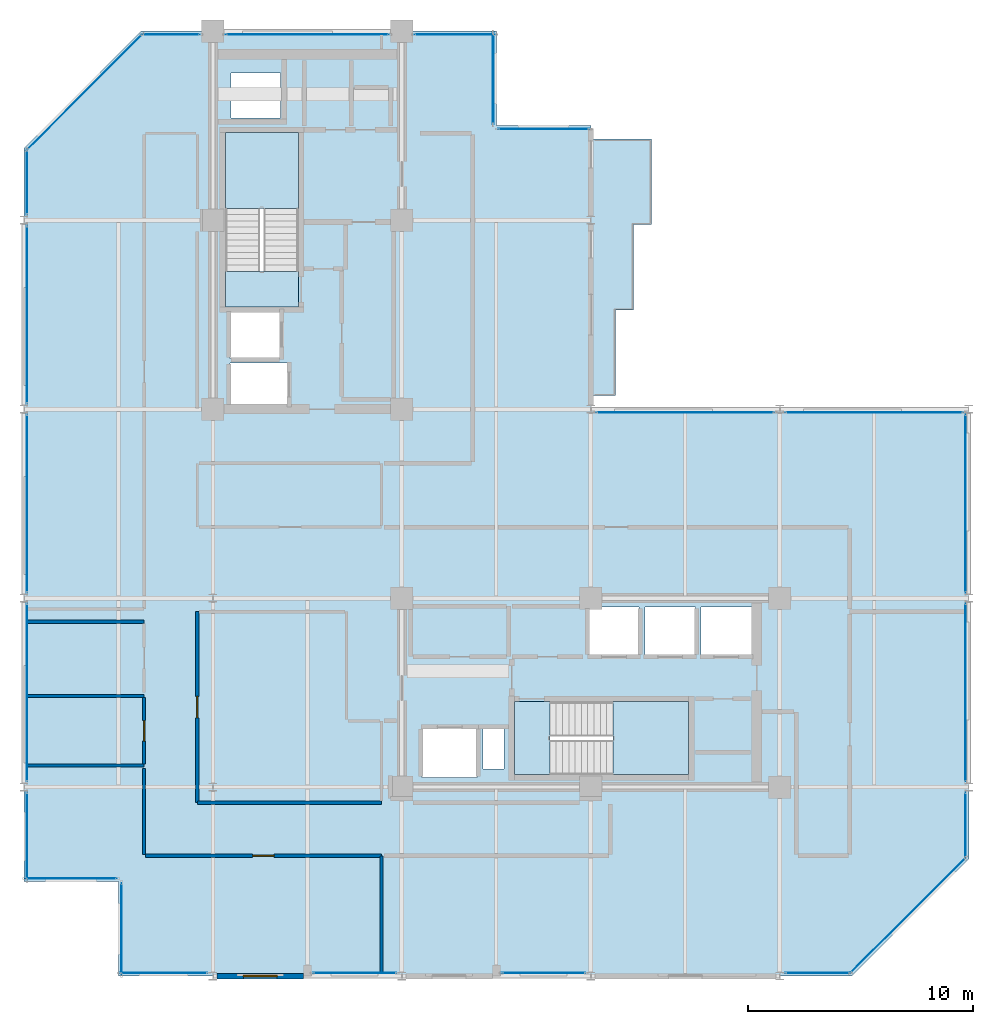
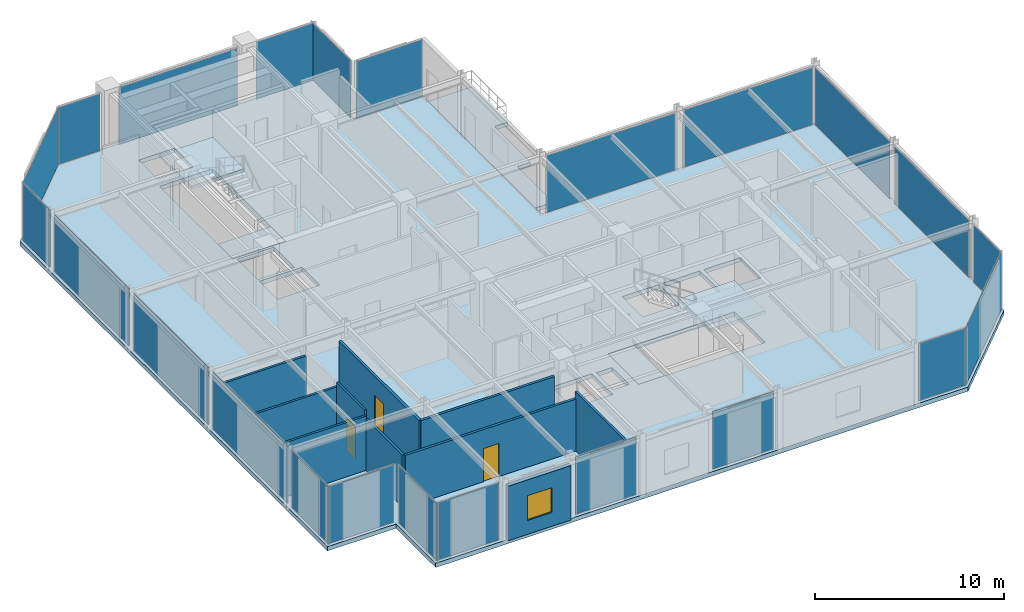
# One storey, part 19 of 25: 23 plates, 10 walls, 6 slabs, 3 doors, 1 window, 4 openings, 25 elements without a shape of their own.
"""IFC4 building model written with IfcOpenShell, lengths in metres."""

from ifc_helpers import new_model, si_unit, direction, frame, frame_2d, origin, origin_2d, place, context, subcontext, project, spatial, polyline, rectangle, outline, extrude, material, layer, layer_set, type_object, element, fill, aggregate, save


model = new_model("IFC4")

# Units and contexts
model_context = context("Model", 3, precision=1e-05, world=origin(), true_north=direction((0.0, 1.0)))
body_context = subcontext(model_context, "Body", "Model", "MODEL_VIEW")
ifc_project = project(units=[si_unit("LENGTHUNIT", "METRE"), si_unit("AREAUNIT", "SQUARE_METRE"), si_unit("VOLUMEUNIT", "CUBIC_METRE"), si_unit("PLANEANGLEUNIT", "RADIAN"), si_unit("MASSUNIT", "GRAM", prefix="KILO")], contexts=[model_context])

# Site, building, storey
site_placement = place(None, origin())
site = spatial("IfcSite", under=ifc_project, at=site_placement, CompositionType="ELEMENT")
building_placement = place(site_placement, origin())
building = spatial("IfcBuilding", under=site, at=building_placement, Name="Nerrivon Quay Data Exchange", CompositionType="ELEMENT")
storey_placement = place(building_placement, frame((0.0, 0.0, 232.89990234375)))
storey = spatial("IfcBuildingStorey", under=building, at=storey_placement, Name="L55", CompositionType="ELEMENT", Elevation=232.89990234375)

# Curtain wall, plate
ifc_material_1 = material(Name="Anodised aluminium 6063-T6", Category="aluminium")
ifc_layer_1 = layer(ifc_material_1, 0.195068359375)
ifc_layer_set_1 = layer_set([ifc_layer_1], Name="Anodised aluminium 6063-T6")
curtain_wall_type = type_object("IfcCurtainWallType", Name="CW-SYS-06", PredefinedType="NOTDEFINED", material=ifc_layer_set_1)
curtain_wall_1_placement = place(storey_placement, origin())
curtain_wall_1 = element("IfcCurtainWall", 1, at=curtain_wall_1_placement, inside=storey, type_object=curtain_wall_type, Name="L55 Unitised Curtain Wall 1", PredefinedType="NOTDEFINED")
ifc_material_2 = material(Name="Double-glazed low-E solar control glass", Category="glass")
ifc_layer_2 = layer(ifc_material_2, 0.028076171875)
ifc_layer_set_2 = layer_set([ifc_layer_2], Name="Double-glazed low-E solar control glass")
plate_type = type_object("IfcPlateType", Name="CWP-GLZ-28", PredefinedType="CURTAIN_PANEL", material=ifc_layer_set_2)
plate_1_placement = place(storey_placement, frame((39.301025390625, 2.698974609375, 0.06494140625), z_axis=(0.0, 0.0, 1.0), x_axis=(-0.707106781187, -0.707106781187, 0.0)))
plate_1 = element("IfcPlate", 2, at=plate_1_placement, type_object=plate_type, Name="CW06 panel 1.1", PredefinedType="CURTAIN_PANEL", context=body_context, shape_type="SweptSolid", body=[
    extrude(rectangle(XDim=7.203857421875, YDim=0.028076171875, at=origin_2d()), origin(), (0.0, 0.0, 1.0), 3.695068359375),
])
aggregate(curtain_wall_1, [plate_1])

curtain_wall_2_placement = place(storey_placement, origin())
curtain_wall_2 = element("IfcCurtainWall", 3, at=curtain_wall_2_placement, inside=storey, type_object=curtain_wall_type, Name="L55 Unitised Curtain Wall 2", PredefinedType="NOTDEFINED")
plate_2_placement = place(storey_placement, frame((35.28759765625, 0.139892578125, 0.06494140625), z_axis=(0.0, 0.0, 1.0), x_axis=(-1.0, 0.0, 0.0)))
plate_2 = element("IfcPlate", 4, at=plate_2_placement, type_object=plate_type, Name="CW06 panel 1.1", PredefinedType="CURTAIN_PANEL", context=body_context, shape_type="SweptSolid", body=[
    extrude(rectangle(XDim=2.875, YDim=0.028076171875, at=origin_2d()), origin(), (0.0, 0.0, 1.0), 3.695068359375),
])
aggregate(curtain_wall_2, [plate_2])

curtain_wall_3_placement = place(storey_placement, origin())
curtain_wall_3 = element("IfcCurtainWall", 5, at=curtain_wall_3_placement, inside=storey, type_object=curtain_wall_type, Name="L55 Unitised Curtain Wall 4", PredefinedType="NOTDEFINED")
plate_3_placement = place(storey_placement, frame((23.10009765625, 0.139892578125, 0.06494140625), z_axis=(0.0, 0.0, 1.0), x_axis=(-1.0, 0.0, 0.0)))
plate_3 = element("IfcPlate", 6, at=plate_3_placement, type_object=plate_type, Name="CW06 panel 1.1", PredefinedType="CURTAIN_PANEL", context=body_context, shape_type="SweptSolid", body=[
    extrude(rectangle(XDim=3.699951171875, YDim=0.028076171875, at=origin_2d()), origin(), (0.0, 0.0, 1.0), 3.695068359375),
])
aggregate(curtain_wall_3, [plate_3])

curtain_wall_4_placement = place(storey_placement, origin())
curtain_wall_4 = element("IfcCurtainWall", 7, at=curtain_wall_4_placement, inside=storey, type_object=curtain_wall_type, Name="L55 Unitised Curtain Wall 6", PredefinedType="NOTDEFINED")
plate_4_placement = place(storey_placement, frame((14.699951171875, 0.139892578125, 0.06494140625), z_axis=(0.0, 0.0, 1.0), x_axis=(-1.0, 0.0, 0.0)))
plate_4 = element("IfcPlate", 8, at=plate_4_placement, type_object=plate_type, Name="CW06 panel 1.1", PredefinedType="CURTAIN_PANEL", context=body_context, shape_type="SweptSolid", body=[
    extrude(rectangle(XDim=3.699951171875, YDim=0.028076171875, at=origin_2d()), origin(), (0.0, 0.0, 1.0), 3.695068359375),
])
aggregate(curtain_wall_4, [plate_4])

curtain_wall_5_placement = place(storey_placement, origin())
curtain_wall_5 = element("IfcCurtainWall", 9, at=curtain_wall_5_placement, inside=storey, type_object=curtain_wall_type, Name="L55 Unitised Curtain Wall 8", PredefinedType="NOTDEFINED")
plate_5_placement = place(storey_placement, frame((6.21240234375, 0.139892578125, 0.06494140625), z_axis=(0.0, 0.0, 1.0), x_axis=(-1.0, 0.0, 0.0)))
plate_5 = element("IfcPlate", 10, at=plate_5_placement, type_object=plate_type, Name="CW06 panel 1.1", PredefinedType="CURTAIN_PANEL", context=body_context, shape_type="SweptSolid", body=[
    extrude(rectangle(XDim=3.875, YDim=0.028076171875, at=origin_2d()), origin(), (0.0, 0.0, 1.0), 3.695068359375),
])
aggregate(curtain_wall_5, [plate_5])

curtain_wall_6_placement = place(storey_placement, origin())
curtain_wall_6 = element("IfcCurtainWall", 11, at=curtain_wall_6_placement, inside=storey, type_object=curtain_wall_type, Name="L55 Unitised Curtain Wall 9", PredefinedType="NOTDEFINED")
plate_6_placement = place(storey_placement, frame((4.340087890625, 2.10009765625, 0.06494140625), z_axis=(0.0, 0.0, 1.0), x_axis=(0.0, 1.0, 0.0)))
plate_6 = element("IfcPlate", 12, at=plate_6_placement, type_object=plate_type, Name="CW06 panel 1.1", PredefinedType="CURTAIN_PANEL", context=body_context, shape_type="SweptSolid", body=[
    extrude(rectangle(XDim=4.050048828125, YDim=0.028076171875, at=origin_2d()), origin(), (0.0, 0.0, 1.0), 3.695068359375),
])
aggregate(curtain_wall_6, [plate_6])

curtain_wall_7_placement = place(storey_placement, origin())
curtain_wall_7 = element("IfcCurtainWall", 13, at=curtain_wall_7_placement, inside=storey, type_object=curtain_wall_type, Name="L55 Unitised Curtain Wall 10", PredefinedType="NOTDEFINED")
plate_7_placement = place(storey_placement, frame((2.10009765625, 4.340087890625, 0.06494140625), z_axis=(0.0, 0.0, 1.0), x_axis=(-1.0, 0.0, 0.0)))
plate_7 = element("IfcPlate", 14, at=plate_7_placement, type_object=plate_type, Name="CW06 panel 1.1", PredefinedType="CURTAIN_PANEL", context=body_context, shape_type="SweptSolid", body=[
    extrude(rectangle(XDim=4.050048828125, YDim=0.028076171875, at=origin_2d()), origin(), (0.0, 0.0, 1.0), 3.695068359375),
])
aggregate(curtain_wall_7, [plate_7])

curtain_wall_8_placement = place(storey_placement, origin())
curtain_wall_8 = element("IfcCurtainWall", 15, at=curtain_wall_8_placement, inside=storey, type_object=curtain_wall_type, Name="L55 Unitised Curtain Wall 11", PredefinedType="NOTDEFINED")
plate_8_placement = place(storey_placement, frame((0.139892578125, 6.21240234375, 0.06494140625), z_axis=(0.0, 0.0, 1.0), x_axis=(0.0, 1.0, 0.0)))
plate_8 = element("IfcPlate", 16, at=plate_8_placement, type_object=plate_type, Name="CW06 panel 1.1", PredefinedType="CURTAIN_PANEL", context=body_context, shape_type="SweptSolid", body=[
    extrude(rectangle(XDim=3.875, YDim=0.028076171875, at=origin_2d()), origin(), (0.0, 0.0, 1.0), 3.695068359375),
])
aggregate(curtain_wall_8, [plate_8])

curtain_wall_9_placement = place(storey_placement, origin())
curtain_wall_9 = element("IfcCurtainWall", 17, at=curtain_wall_9_placement, inside=storey, type_object=curtain_wall_type, Name="L55 Unitised Curtain Wall 12", PredefinedType="NOTDEFINED")
plate_9_placement = place(storey_placement, frame((0.139892578125, 12.60009765625, 0.06494140625), z_axis=(0.0, 0.0, 1.0), x_axis=(0.0, 1.0, 0.0)))
plate_9 = element("IfcPlate", 18, at=plate_9_placement, type_object=plate_type, Name="CW06 panel 1.1", PredefinedType="CURTAIN_PANEL", context=body_context, shape_type="SweptSolid", body=[
    extrude(rectangle(XDim=7.89990234375, YDim=0.028076171875, at=origin_2d()), origin(), (0.0, 0.0, 1.0), 3.695068359375),
])
aggregate(curtain_wall_9, [plate_9])

curtain_wall_10_placement = place(storey_placement, origin())
curtain_wall_10 = element("IfcCurtainWall", 19, at=curtain_wall_10_placement, inside=storey, type_object=curtain_wall_type, Name="L55 Unitised Curtain Wall 13", PredefinedType="NOTDEFINED")
plate_10_placement = place(storey_placement, frame((0.139892578125, 21.0, 0.06494140625), z_axis=(0.0, 0.0, 1.0), x_axis=(0.0, 1.0, 0.0)))
plate_10 = element("IfcPlate", 20, at=plate_10_placement, type_object=plate_type, Name="CW06 panel 1.1", PredefinedType="CURTAIN_PANEL", context=body_context, shape_type="SweptSolid", body=[
    extrude(rectangle(XDim=7.89990234375, YDim=0.028076171875, at=origin_2d()), origin(), (0.0, 0.0, 1.0), 3.695068359375),
])
aggregate(curtain_wall_10, [plate_10])

curtain_wall_11_placement = place(storey_placement, origin())
curtain_wall_11 = element("IfcCurtainWall", 21, at=curtain_wall_11_placement, inside=storey, type_object=curtain_wall_type, Name="L55 Unitised Curtain Wall 14", PredefinedType="NOTDEFINED")
plate_11_placement = place(storey_placement, frame((0.139892578125, 29.39990234375, 0.06494140625), z_axis=(0.0, 0.0, 1.0), x_axis=(0.0, 1.0, 0.0)))
plate_11 = element("IfcPlate", 22, at=plate_11_placement, type_object=plate_type, Name="CW06 panel 1.1", PredefinedType="CURTAIN_PANEL", context=body_context, shape_type="SweptSolid", body=[
    extrude(rectangle(XDim=7.89990234375, YDim=0.028076171875, at=origin_2d()), origin(), (0.0, 0.0, 1.0), 3.695068359375),
])
aggregate(curtain_wall_11, [plate_11])

curtain_wall_12_placement = place(storey_placement, origin())
curtain_wall_12 = element("IfcCurtainWall", 23, at=curtain_wall_12_placement, inside=storey, type_object=curtain_wall_type, Name="L55 Unitised Curtain Wall 15", PredefinedType="NOTDEFINED")
plate_12_placement = place(storey_placement, frame((0.139892578125, 35.28759765625, 0.06494140625), z_axis=(0.0, 0.0, 1.0), x_axis=(0.0, 1.0, 0.0)))
plate_12 = element("IfcPlate", 24, at=plate_12_placement, type_object=plate_type, Name="CW06 panel 1.1", PredefinedType="CURTAIN_PANEL", context=body_context, shape_type="SweptSolid", body=[
    extrude(rectangle(XDim=2.875, YDim=0.028076171875, at=origin_2d()), origin(), (0.0, 0.0, 1.0), 3.695068359375),
])
aggregate(curtain_wall_12, [plate_12])

curtain_wall_13_placement = place(storey_placement, origin())
curtain_wall_13 = element("IfcCurtainWall", 25, at=curtain_wall_13_placement, inside=storey, type_object=curtain_wall_type, Name="L55 Unitised Curtain Wall 16", PredefinedType="NOTDEFINED")
plate_13_placement = place(storey_placement, frame((2.698974609375, 39.301025390625, 0.06494140625), z_axis=(0.0, 0.0, 1.0), x_axis=(0.707106781187, 0.707106781187, 0.0)))
plate_13 = element("IfcPlate", 26, at=plate_13_placement, type_object=plate_type, Name="CW06 panel 1.1", PredefinedType="CURTAIN_PANEL", context=body_context, shape_type="SweptSolid", body=[
    extrude(rectangle(XDim=7.203857421875, YDim=0.028076171875, at=origin_2d()), origin(), (0.0, 0.0, 1.0), 3.695068359375),
])
aggregate(curtain_wall_13, [plate_13])

curtain_wall_14_placement = place(storey_placement, origin())
curtain_wall_14 = element("IfcCurtainWall", 27, at=curtain_wall_14_placement, inside=storey, type_object=curtain_wall_type, Name="L55 Unitised Curtain Wall 17", PredefinedType="NOTDEFINED")
plate_14_placement = place(storey_placement, frame((6.550048828125, 41.860107421875, 0.06494140625), z_axis=(0.0, 0.0, 1.0), x_axis=(1.0, 0.0, 0.0)))
plate_14 = element("IfcPlate", 28, at=plate_14_placement, type_object=plate_type, Name="CW06 panel 1.1", PredefinedType="CURTAIN_PANEL", context=body_context, shape_type="SweptSolid", body=[
    extrude(rectangle(XDim=2.550048828125, YDim=0.028076171875, at=origin_2d()), origin(), (0.0, 0.0, 1.0), 3.695068359375),
])
aggregate(curtain_wall_14, [plate_14])

curtain_wall_15_placement = place(storey_placement, origin())
curtain_wall_15 = element("IfcCurtainWall", 29, at=curtain_wall_15_placement, inside=storey, type_object=curtain_wall_type, Name="L55 Unitised Curtain Wall 18", PredefinedType="NOTDEFINED")
plate_15_placement = place(storey_placement, frame((12.60009765625, 41.860107421875, 0.06494140625), z_axis=(0.0, 0.0, 1.0), x_axis=(1.0, 0.0, 0.0)))
plate_15 = element("IfcPlate", 30, at=plate_15_placement, type_object=plate_type, Name="CW06 panel 1.1", PredefinedType="CURTAIN_PANEL", context=body_context, shape_type="SweptSolid", body=[
    extrude(rectangle(XDim=7.25, YDim=0.028076171875, at=origin_2d()), origin(), (0.0, 0.0, 1.0), 3.695068359375),
])
aggregate(curtain_wall_15, [plate_15])

curtain_wall_16_placement = place(storey_placement, origin())
curtain_wall_16 = element("IfcCurtainWall", 31, at=curtain_wall_16_placement, inside=storey, type_object=curtain_wall_type, Name="L55 Unitised Curtain Wall 19", PredefinedType="NOTDEFINED")
plate_16_placement = place(storey_placement, frame((19.14990234375, 41.860107421875, 0.06494140625), z_axis=(0.0, 0.0, 1.0), x_axis=(1.0, 0.0, 0.0)))
plate_16 = element("IfcPlate", 32, at=plate_16_placement, type_object=plate_type, Name="CW06 panel 1.1", PredefinedType="CURTAIN_PANEL", context=body_context, shape_type="SweptSolid", body=[
    extrude(rectangle(XDim=3.550048828125, YDim=0.028076171875, at=origin_2d()), origin(), (0.0, 0.0, 1.0), 3.695068359375),
])
aggregate(curtain_wall_16, [plate_16])

curtain_wall_17_placement = place(storey_placement, origin())
curtain_wall_17 = element("IfcCurtainWall", 33, at=curtain_wall_17_placement, inside=storey, type_object=curtain_wall_type, Name="L55 Unitised Curtain Wall 20", PredefinedType="NOTDEFINED")
plate_17_placement = place(storey_placement, frame((20.860107421875, 39.89990234375, 0.06494140625), z_axis=(0.0, 0.0, 1.0), x_axis=(0.0, -1.0, 0.0)))
plate_17 = element("IfcPlate", 34, at=plate_17_placement, type_object=plate_type, Name="CW06 panel 1.1", PredefinedType="CURTAIN_PANEL", context=body_context, shape_type="SweptSolid", body=[
    extrude(rectangle(XDim=4.050048828125, YDim=0.028076171875, at=origin_2d()), origin(), (0.0, 0.0, 1.0), 3.695068359375),
])
aggregate(curtain_wall_17, [plate_17])

curtain_wall_18_placement = place(storey_placement, origin())
curtain_wall_18 = element("IfcCurtainWall", 35, at=curtain_wall_18_placement, inside=storey, type_object=curtain_wall_type, Name="L55 Unitised Curtain Wall 21", PredefinedType="NOTDEFINED")
plate_18_placement = place(storey_placement, frame((23.10009765625, 37.659912109375, 0.06494140625), z_axis=(0.0, 0.0, 1.0), x_axis=(1.0, 0.0, 0.0)))
plate_18 = element("IfcPlate", 36, at=plate_18_placement, type_object=plate_type, Name="CW06 panel 1.1", PredefinedType="CURTAIN_PANEL", context=body_context, shape_type="SweptSolid", body=[
    extrude(rectangle(XDim=4.050048828125, YDim=0.028076171875, at=origin_2d()), origin(), (0.0, 0.0, 1.0), 3.695068359375),
])
aggregate(curtain_wall_18, [plate_18])

curtain_wall_19_placement = place(storey_placement, origin())
curtain_wall_19 = element("IfcCurtainWall", 37, at=curtain_wall_19_placement, inside=storey, type_object=curtain_wall_type, Name="L55 Unitised Curtain Wall 24", PredefinedType="NOTDEFINED")
plate_19_placement = place(storey_placement, frame((29.39990234375, 25.06005859375, 0.06494140625), z_axis=(0.0, 0.0, 1.0), x_axis=(1.0, 0.0, 0.0)))
plate_19 = element("IfcPlate", 38, at=plate_19_placement, type_object=plate_type, Name="CW06 panel 1.1", PredefinedType="CURTAIN_PANEL", context=body_context, shape_type="SweptSolid", body=[
    extrude(rectangle(XDim=7.89990234375, YDim=0.028076171875, at=origin_2d()), origin(), (0.0, 0.0, 1.0), 3.695068359375),
])
aggregate(curtain_wall_19, [plate_19])

curtain_wall_20_placement = place(storey_placement, origin())
curtain_wall_20 = element("IfcCurtainWall", 39, at=curtain_wall_20_placement, inside=storey, type_object=curtain_wall_type, Name="L55 Unitised Curtain Wall 25", PredefinedType="NOTDEFINED")
plate_20_placement = place(storey_placement, frame((37.800048828125, 25.06005859375, 0.06494140625), z_axis=(0.0, 0.0, 1.0), x_axis=(1.0, 0.0, 0.0)))
plate_20 = element("IfcPlate", 40, at=plate_20_placement, type_object=plate_type, Name="CW06 panel 1.1", PredefinedType="CURTAIN_PANEL", context=body_context, shape_type="SweptSolid", body=[
    extrude(rectangle(XDim=7.89990234375, YDim=0.028076171875, at=origin_2d()), origin(), (0.0, 0.0, 1.0), 3.695068359375),
])
aggregate(curtain_wall_20, [plate_20])

curtain_wall_21_placement = place(storey_placement, origin())
curtain_wall_21 = element("IfcCurtainWall", 41, at=curtain_wall_21_placement, inside=storey, type_object=curtain_wall_type, Name="L55 Unitised Curtain Wall 26", PredefinedType="NOTDEFINED")
plate_21_placement = place(storey_placement, frame((41.860107421875, 21.0, 0.06494140625), z_axis=(0.0, 0.0, 1.0), x_axis=(0.0, -1.0, 0.0)))
plate_21 = element("IfcPlate", 42, at=plate_21_placement, type_object=plate_type, Name="CW06 panel 1.1", PredefinedType="CURTAIN_PANEL", context=body_context, shape_type="SweptSolid", body=[
    extrude(rectangle(XDim=7.89990234375, YDim=0.028076171875, at=origin_2d()), origin(), (0.0, 0.0, 1.0), 3.695068359375),
])
aggregate(curtain_wall_21, [plate_21])

curtain_wall_22_placement = place(storey_placement, origin())
curtain_wall_22 = element("IfcCurtainWall", 43, at=curtain_wall_22_placement, inside=storey, type_object=curtain_wall_type, Name="L55 Unitised Curtain Wall 27", PredefinedType="NOTDEFINED")
plate_22_placement = place(storey_placement, frame((41.860107421875, 12.60009765625, 0.06494140625), z_axis=(0.0, 0.0, 1.0), x_axis=(0.0, -1.0, 0.0)))
plate_22 = element("IfcPlate", 44, at=plate_22_placement, type_object=plate_type, Name="CW06 panel 1.1", PredefinedType="CURTAIN_PANEL", context=body_context, shape_type="SweptSolid", body=[
    extrude(rectangle(XDim=7.89990234375, YDim=0.028076171875, at=origin_2d()), origin(), (0.0, 0.0, 1.0), 3.695068359375),
])
aggregate(curtain_wall_22, [plate_22])

curtain_wall_23_placement = place(storey_placement, origin())
curtain_wall_23 = element("IfcCurtainWall", 45, at=curtain_wall_23_placement, inside=storey, type_object=curtain_wall_type, Name="L55 Unitised Curtain Wall 28", PredefinedType="NOTDEFINED")
plate_23_placement = place(storey_placement, frame((41.860107421875, 6.71240234375, 0.06494140625), z_axis=(0.0, 0.0, 1.0), x_axis=(0.0, -1.0, 0.0)))
plate_23 = element("IfcPlate", 46, at=plate_23_placement, type_object=plate_type, Name="CW06 panel 1.1", PredefinedType="CURTAIN_PANEL", context=body_context, shape_type="SweptSolid", body=[
    extrude(rectangle(XDim=2.875, YDim=0.028076171875, at=origin_2d()), origin(), (0.0, 0.0, 1.0), 3.695068359375),
])
aggregate(curtain_wall_23, [plate_23])

# Slab
ifc_material_3 = material(Name="Precast white architectural concrete N50 (50 MPa)", Category="concrete")
ifc_layer_3 = layer(ifc_material_3, 0.25)
ifc_layer_set_3 = layer_set([ifc_layer_3], Name="Precast white architectural concrete N50 (50 MPa)")
slab_type_1 = type_object("IfcSlabType", Name="SLB-BAL-250", PredefinedType="FLOOR", material=ifc_layer_set_3)
slab_1_placement = place(storey_placement, frame((0.0, 0.0, -0.25)))
element("IfcSlab", 47, at=slab_1_placement, inside=storey, type_object=slab_type_1, Name="L55 Waterfront Subtropical Verandah", PredefinedType="FLOOR", context=body_context, shape_type="SweptSolid", body=[
    extrude(outline(polyline([(26.300048828125, 29.60009765625), (27.10009765625, 29.60009765625), (27.10009765625, 33.39990234375), (27.89990234375, 33.39990234375), (27.89990234375, 37.199951171875), (25.199951171875, 37.199951171875), (25.199951171875, 33.39990234375), (25.199951171875, 29.60009765625), (25.199951171875, 25.800048828125), (26.300048828125, 25.800048828125), (26.300048828125, 29.60009765625)])), origin(), (0.0, 0.0, 1.0), 0.25),
])

# Stair, slab
ifc_material_4 = material(Name="Concrete N50 (50 MPa)", Category="concrete")
stair_type = type_object("IfcStairType", Name="STAIR-DOG-41", PredefinedType="HALF_TURN_STAIR", material=ifc_material_4)
stair_1_placement = place(storey_placement, origin())
stair_1 = element("IfcStair", 48, at=stair_1_placement, inside=storey, type_object=stair_type, Name="L55 West Core Fire Stair ST01", PredefinedType="HALF_TURN_STAIR")
ifc_layer_4 = layer(ifc_material_4, 0.199951171875)
ifc_layer_set_4 = layer_set([ifc_layer_4], Name="Concrete N50 (50 MPa)")
slab_type_2 = type_object("IfcSlabType", Name="SLB-LAND-200", PredefinedType="LANDING", material=ifc_layer_set_4)
slab_2_placement = place(storey_placement, frame((0.0, 0.0, 1.85009765625)))
slab_2 = element("IfcSlab", 49, at=slab_2_placement, type_object=slab_type_2, Name="ST01 landing 1", PredefinedType="LANDING", context=body_context, shape_type="SweptSolid", body=[
    extrude(outline(polyline([(12.199951171875, 34.1298828125), (12.199951171875, 37.5), (8.949951171875, 37.5), (8.949951171875, 34.1298828125), (12.199951171875, 34.1298828125)])), origin(), (0.0, 0.0, 1.0), 0.199951171875),
])
aggregate(stair_1, [slab_2])

# Slab
slab_3_placement = place(storey_placement, frame((0.0, 0.0, -0.199951171875)))
element("IfcSlab", 50, at=slab_3_placement, inside=storey, type_object=slab_type_2, Name="L55 ST01 floor landing", PredefinedType="LANDING", context=body_context, shape_type="SweptSolid", body=[
    extrude(outline(polyline([(12.199951171875, 29.75), (12.199951171875, 31.330078125), (8.949951171875, 31.330078125), (8.949951171875, 29.75), (12.199951171875, 29.75)])), origin(), (0.0, 0.0, 1.0), 0.199951171875),
])

# Stair, slab
stair_2_placement = place(storey_placement, origin())
stair_2 = element("IfcStair", 51, at=stair_2_placement, inside=storey, type_object=stair_type, Name="L55 East Core Fire Stair ST02", PredefinedType="HALF_TURN_STAIR")
slab_4_placement = place(storey_placement, frame((0.0, 0.0, 1.85009765625)))
slab_4 = element("IfcSlab", 52, at=slab_4_placement, type_object=slab_type_2, Name="ST02 landing 1", PredefinedType="LANDING", context=body_context, shape_type="SweptSolid", body=[
    extrude(outline(polyline([(26.179931640625, 8.949951171875), (29.550048828125, 8.949951171875), (29.550048828125, 12.199951171875), (26.179931640625, 12.199951171875), (26.179931640625, 8.949951171875)])), origin(), (0.0, 0.0, 1.0), 0.199951171875),
])
aggregate(stair_2, [slab_4])

# Slabs
slab_5_placement = place(storey_placement, frame((0.0, 0.0, -0.199951171875)))
element("IfcSlab", 53, at=slab_5_placement, inside=storey, type_object=slab_type_2, Name="L55 ST02 floor landing", PredefinedType="LANDING", context=body_context, shape_type="SweptSolid", body=[
    extrude(outline(polyline([(21.800048828125, 8.949951171875), (23.3798828125, 8.949951171875), (23.3798828125, 12.199951171875), (21.800048828125, 12.199951171875), (21.800048828125, 8.949951171875)])), origin(), (0.0, 0.0, 1.0), 0.199951171875),
])
ifc_layer_5 = layer(ifc_material_4, 0.27490234375)
ifc_layer_set_5 = layer_set([ifc_layer_5], Name="Concrete N50 (50 MPa)")
slab_type_3 = type_object("IfcSlabType", Name="SLB-TOW-275", PredefinedType="FLOOR", material=ifc_layer_set_5)
slab_6_placement = place(storey_placement, frame((0.0, 0.0, -0.27490234375)))
element("IfcSlab", 54, at=slab_6_placement, inside=storey, type_object=slab_type_3, Name="L55 Primary Structural Slab", PredefinedType="FLOOR", context=body_context, shape_type="SweptSolid", body=[
    extrude(outline(polyline([(42.0, 25.199951171875), (25.199951171875, 25.199951171875), (25.199951171875, 37.800048828125), (21.0, 37.800048828125), (21.0, 42.0), (5.199951171875, 42.0), (0.0, 36.800048828125), (0.0, 4.199951171875), (4.199951171875, 4.199951171875), (4.199951171875, 0.0), (36.800048828125, 0.0), (42.0, 5.199951171875), (42.0, 25.199951171875)]), holes=[polyline([(8.949951171875, 29.75), (8.949951171875, 37.5), (12.199951171875, 37.5), (12.199951171875, 29.75), (8.949951171875, 29.75)]), polyline([(21.800048828125, 12.199951171875), (29.550048828125, 12.199951171875), (29.550048828125, 8.949951171875), (21.800048828125, 8.949951171875), (21.800048828125, 12.199951171875)]), polyline([(30.10009765625, 14.25), (30.10009765625, 16.39990234375), (32.35009765625, 16.39990234375), (32.35009765625, 14.25), (30.10009765625, 14.25)]), polyline([(27.60009765625, 14.25), (27.60009765625, 16.39990234375), (29.85009765625, 16.39990234375), (29.85009765625, 14.25), (27.60009765625, 14.25)]), polyline([(25.10009765625, 14.25), (25.10009765625, 16.39990234375), (27.35009765625, 16.39990234375), (27.35009765625, 14.25), (25.10009765625, 14.25)]), polyline([(20.39990234375, 9.199951171875), (20.39990234375, 11.0), (21.35009765625, 11.0), (21.35009765625, 9.199951171875), (20.39990234375, 9.199951171875)]), polyline([(17.699951171875, 8.830078125), (17.699951171875, 11.030029296875), (20.14990234375, 11.030029296875), (20.14990234375, 8.830078125), (17.699951171875, 8.830078125)]), polyline([(9.14990234375, 25.35009765625), (9.14990234375, 27.25), (11.75, 27.25), (11.75, 25.35009765625), (9.14990234375, 25.35009765625)]), polyline([(9.14990234375, 27.449951171875), (9.14990234375, 29.60009765625), (11.39990234375, 29.60009765625), (11.39990234375, 27.449951171875), (9.14990234375, 27.449951171875)]), polyline([(9.199951171875, 38.14990234375), (9.199951171875, 40.14990234375), (11.39990234375, 40.14990234375), (11.39990234375, 38.14990234375), (9.199951171875, 38.14990234375)])]), origin(), (0.0, 0.0, 1.0), 0.27490234375),
])

# Wall, opening, window
ifc_material_5 = material(Name="Architectural terracotta precast concrete N50 (50 MPa)", Category="masonry")
ifc_layer_6 = layer(ifc_material_5, 0.239990234375)
ifc_layer_set_6 = layer_set([ifc_layer_6], Name="Architectural terracotta precast concrete N50 (50 MPa)")
wall_type_1 = type_object("IfcWallType", Name="EW-PREC-240", PredefinedType="STANDARD", material=ifc_layer_set_6)
wall_1_placement = place(storey_placement, frame((12.425048828125, 0.0, 0.0), z_axis=(0.0, 0.0, 1.0), x_axis=(-1.0, 0.0, 0.0)))
wall_1 = element("IfcWall", 55, at=wall_1_placement, inside=storey, type_object=wall_type_1, Name="L55 Podium Precast Spandrel Wall 7", PredefinedType="STANDARD", context=body_context, shape_type="SweptSolid", body=[
    extrude(rectangle(XDim=3.85009765625, YDim=0.239990234375, at=frame_2d((1.925048828125, 0.0))), origin(), (0.0, 0.0, 1.0), 3.525146484375),
])
opening_1_placement = place(wall_1_placement, frame((1.175048828125, 0.0, 0.89990234375)))
opening_1 = element("IfcOpeningElement", 56, at=opening_1_placement, cuts=wall_1, Name="Opening WN4", PredefinedType="OPENING", context=body_context, shape_type="SweptSolid", body=[
    extrude(rectangle(XDim=1.5, YDim=1.60009765625, at=frame_2d((0.75, 0.800048828125))), frame((0.0, 0.1298828125, 0.0), z_axis=(0.0, -1.0, 0.0), x_axis=(1.0, 0.0, 0.0)), (0.0, 0.0, 1.0), 0.260009765625),
])
window_type = type_object("IfcWindowType", Name="WIN-W4-1500x1600", PartitioningType="SINGLE_PANEL", PredefinedType="WINDOW", material=ifc_material_2)
window_placement = place(opening_1_placement, origin())
window = element("IfcWindow", 57, at=window_placement, inside=storey, type_object=window_type, Name="L55 Solar Facade Window 7", OverallHeight=1.60009765625, OverallWidth=1.5, PartitioningType="SINGLE_PANEL", PredefinedType="WINDOW", context=body_context, shape_type="SweptSolid", body=[
    extrude(rectangle(XDim=1.5, YDim=1.60009765625, at=frame_2d((0.75, 0.800048828125))), frame((0.0, 0.030029296875, 0.0), z_axis=(0.0, -1.0, 0.0), x_axis=(1.0, 0.0, 0.0)), (0.0, 0.0, 1.0), 0.06005859375),
])
fill(opening_1, window)

# Wall, opening, door
ifc_material_6 = material(Name="Gypsum plasterboard on cold-formed framing", Category="gypsum")
ifc_layer_7 = layer(ifc_material_6, 0.1201171875)
ifc_layer_set_7 = layer_set([ifc_layer_7], Name="Gypsum plasterboard on cold-formed framing")
wall_type_2 = type_object("IfcWallType", Name="WALL-PT-120", PredefinedType="PARTITIONING", material=ifc_layer_set_7)
wall_2_placement = place(storey_placement, frame((5.340087890625, 9.42138671875, 0.0), z_axis=(0.0, 0.0, 1.0), x_axis=(0.0, 1.0, 0.0)))
wall_2 = element("IfcWall", 58, at=wall_2_placement, inside=storey, type_object=wall_type_2, Name="L55 Partition Accessible Toilet", PredefinedType="PARTITIONING", context=body_context, shape_type="SweptSolid", body=[
    extrude(rectangle(XDim=2.95703125, YDim=0.1201171875, at=frame_2d((1.478515625, 0.0))), origin(), (0.0, 0.0, 1.0), 3.8251953125),
])
opening_2_placement = place(wall_2_placement, frame((1.0185546875, 0.0, 0.0)))
opening_2 = element("IfcOpeningElement", 59, at=opening_2_placement, cuts=wall_2, Name="Opening D-WC", PredefinedType="OPENING", context=body_context, shape_type="SweptSolid", body=[
    extrude(rectangle(XDim=0.919921875, YDim=2.10009765625, at=frame_2d((0.4599609375, 1.050048828125))), frame((0.0, 0.070068359375, 0.0), z_axis=(0.0, -1.0, 0.0), x_axis=(1.0, 0.0, 0.0)), (0.0, 0.0, 1.0), 0.14013671875),
])
ifc_material_7 = material(Name="Engineered hardwood timber", Category="wood")
door_type_1 = type_object("IfcDoorType", Name="DR-WC-920", OperationType="NOTDEFINED", PredefinedType="DOOR", material=ifc_material_7)
door_1_placement = place(opening_2_placement, origin())
door_1 = element("IfcDoor", 60, at=door_1_placement, inside=storey, type_object=door_type_1, Name="L55 Door Accessible Toilet", OperationType="SINGLE_SWING_RIGHT", OverallHeight=2.10009765625, OverallWidth=0.919921875, PredefinedType="DOOR", context=body_context, shape_type="SweptSolid", body=[
    extrude(rectangle(XDim=0.919921875, YDim=2.10009765625, at=frame_2d((0.4599609375, 1.050048828125))), frame((0.0, 0.02490234375, 0.0), z_axis=(0.0, -1.0, 0.0), x_axis=(1.0, 0.0, 0.0)), (0.0, 0.0, 1.0), 0.050048828125),
])
fill(opening_2, door_1)

# Walls
ifc_layer_8 = layer(ifc_material_6, 0.135009765625)
ifc_layer_set_8 = layer_set([ifc_layer_8], Name="Gypsum plasterboard on cold-formed framing")
wall_type_3 = type_object("IfcWallType", Name="WALL-PT-135", PredefinedType="PARTITIONING", material=ifc_layer_set_8)
for number, where, z_axis, x_axis, name in (
    (61, (5.340087890625, 12.449951171875, 0.0), (0.0, 0.0, 1.0), (-1.0, 0.0, 0.0), "L55 Partition Accessible Toilet"),
    (62, (0.1689453125, 9.35009765625, 0.0), (0.0, 0.0, 1.0), (1.0, 0.0, 0.0), "L55 Partition Accessible Toilet"),
    (63, (5.340087890625, 15.75, 0.0), (0.0, 0.0, 1.0), (-1.0, 0.0, 0.0), "L55 Partition Public Washrooms"),
):
    element("IfcWall", number, at=place(storey_placement, frame(where, z_axis=z_axis, x_axis=x_axis)), inside=storey, type_object=wall_type_3, Name=name, PredefinedType="PARTITIONING", context=body_context, shape_type="SweptSolid", body=[
        extrude(rectangle(XDim=5.171142578125, YDim=0.135009765625, at=frame_2d((2.58544921875, 0.0))), origin(), (0.0, 0.0, 1.0), 3.51806640625),
    ])
wall_3_placement = place(storey_placement, frame((15.89453125, 0.1689453125, 0.0), z_axis=(0.0, 0.0, 1.0), x_axis=(0.0, 1.0, 0.0)))
element("IfcWall", 64, at=wall_3_placement, inside=storey, type_object=wall_type_3, Name="L55 Partition Peering Day Lounge", PredefinedType="PARTITIONING", context=body_context, shape_type="SweptSolid", body=[
    extrude(rectangle(XDim=5.171142578125, YDim=0.135009765625, at=frame_2d((2.58544921875, 0.0))), origin(), (0.0, 0.0, 1.0), 3.8251953125),
])
wall_4_placement = place(storey_placement, frame((5.340087890625, 5.39990234375, 0.0), z_axis=(0.0, 0.0, 1.0), x_axis=(0.0, 1.0, 0.0)))
element("IfcWall", 65, at=wall_4_placement, inside=storey, type_object=wall_type_3, Name="L55 Partition Peering Day Lounge", PredefinedType="PARTITIONING", context=body_context, shape_type="SweptSolid", body=[
    extrude(rectangle(XDim=3.830078125, YDim=0.135009765625, at=frame_2d((1.9150390625, 0.0))), origin(), (0.0, 0.0, 1.0), 3.364990234375),
])

# Wall, opening, door
ifc_layer_9 = layer(ifc_material_6, 0.14990234375)
ifc_layer_set_9 = layer_set([ifc_layer_9], Name="Gypsum plasterboard on cold-formed framing")
wall_type_4 = type_object("IfcWallType", Name="WALL-PT-150", PredefinedType="PARTITIONING", material=ifc_layer_set_9)
wall_5_placement = place(storey_placement, frame((7.7099609375, 16.20068359375, 0.0), z_axis=(0.0, 0.0, 1.0), x_axis=(0.0, -1.0, 0.0)))
wall_5 = element("IfcWall", 66, at=wall_5_placement, inside=storey, type_object=wall_type_4, Name="L55 Partition Engineers Lounge", PredefinedType="PARTITIONING", context=body_context, shape_type="SweptSolid", body=[
    extrude(rectangle(XDim=8.49072265625, YDim=0.14990234375, at=frame_2d((4.245361328125, 0.0))), origin(), (0.0, 0.0, 1.0), 3.364990234375),
])
opening_3_placement = place(wall_5_placement, frame((3.7705078125, 0.0, 0.0)))
opening_3 = element("IfcOpeningElement", 67, at=opening_3_placement, cuts=wall_5, Name="Opening D-01", PredefinedType="OPENING", context=body_context, shape_type="SweptSolid", body=[
    extrude(rectangle(XDim=0.949951171875, YDim=2.14990234375, at=frame_2d((0.47509765625, 1.074951171875))), frame((0.0, 0.0849609375, 0.0), z_axis=(0.0, -1.0, 0.0), x_axis=(1.0, 0.0, 0.0)), (0.0, 0.0, 1.0), 0.169921875),
])
door_type_2 = type_object("IfcDoorType", Name="DR-INT-950", OperationType="NOTDEFINED", PredefinedType="DOOR", material=ifc_material_7)
door_2_placement = place(opening_3_placement, origin())
door_2 = element("IfcDoor", 68, at=door_2_placement, inside=storey, type_object=door_type_2, Name="L55 Door Engineers Lounge", OperationType="SINGLE_SWING_LEFT", OverallHeight=2.14990234375, OverallWidth=0.949951171875, PredefinedType="DOOR", context=body_context, shape_type="SweptSolid", body=[
    extrude(rectangle(XDim=0.949951171875, YDim=2.14990234375, at=frame_2d((0.47509765625, 1.074951171875))), frame((0.0, 0.02490234375, 0.0), z_axis=(0.0, -1.0, 0.0), x_axis=(1.0, 0.0, 0.0)), (0.0, 0.0, 1.0), 0.050048828125),
])
fill(opening_3, door_2)

# Wall
wall_6_placement = place(storey_placement, frame((7.7099609375, 7.7099609375, 0.0), z_axis=(0.0, 0.0, 1.0), x_axis=(1.0, 0.0, 0.0)))
element("IfcWall", 69, at=wall_6_placement, inside=storey, type_object=wall_type_4, Name="L55 Partition Engineers Lounge", PredefinedType="PARTITIONING", context=body_context, shape_type="SweptSolid", body=[
    extrude(rectangle(XDim=8.1845703125, YDim=0.14990234375, at=frame_2d((4.09228515625, 0.0))), origin(), (0.0, 0.0, 1.0), 3.37109375),
])

# Wall, opening, door
wall_7_placement = place(storey_placement, frame((15.89453125, 5.340087890625, 0.0), z_axis=(0.0, 0.0, 1.0), x_axis=(-0.99999999973, 2.3250407e-05, 0.0)))
wall_7 = element("IfcWall", 70, at=wall_7_placement, inside=storey, type_object=wall_type_4, Name="L55 Partition Peering Day Lounge", PredefinedType="PARTITIONING", context=body_context, shape_type="SweptSolid", body=[
    extrude(rectangle(XDim=10.50048828125, YDim=0.14990234375, at=frame_2d((5.250244140625, 0.0))), origin(), (0.0, 0.0, 1.0), 3.37109375),
])
opening_4_placement = place(wall_7_placement, frame((4.775390625, 0.0, 0.0)))
opening_4 = element("IfcOpeningElement", 71, at=opening_4_placement, cuts=wall_7, Name="Opening D-01", PredefinedType="OPENING", context=body_context, shape_type="SweptSolid", body=[
    extrude(rectangle(XDim=0.949951171875, YDim=2.14990234375, at=frame_2d((0.47509765625, 1.074951171875))), frame((0.0, 0.0849609375, 0.0), z_axis=(0.0, -1.0, 0.0), x_axis=(1.0, 0.0, 0.0)), (0.0, 0.0, 1.0), 0.169921875),
])
door_3_placement = place(opening_4_placement, origin())
door_3 = element("IfcDoor", 72, at=door_3_placement, inside=storey, type_object=door_type_2, Name="L55 Door Peering Day Lounge", OperationType="SINGLE_SWING_RIGHT", OverallHeight=2.14990234375, OverallWidth=0.949951171875, PredefinedType="DOOR", context=body_context, shape_type="SweptSolid", body=[
    extrude(rectangle(XDim=0.949951171875, YDim=2.14990234375, at=frame_2d((0.47509765625, 1.074951171875))), frame((0.0, 0.02490234375, 0.0), z_axis=(0.0, -1.0, 0.0), x_axis=(1.0, 0.0, 0.0)), (0.0, 0.0, 1.0), 0.050048828125),
])
fill(opening_4, door_3)

save(model, "model.ifc")
